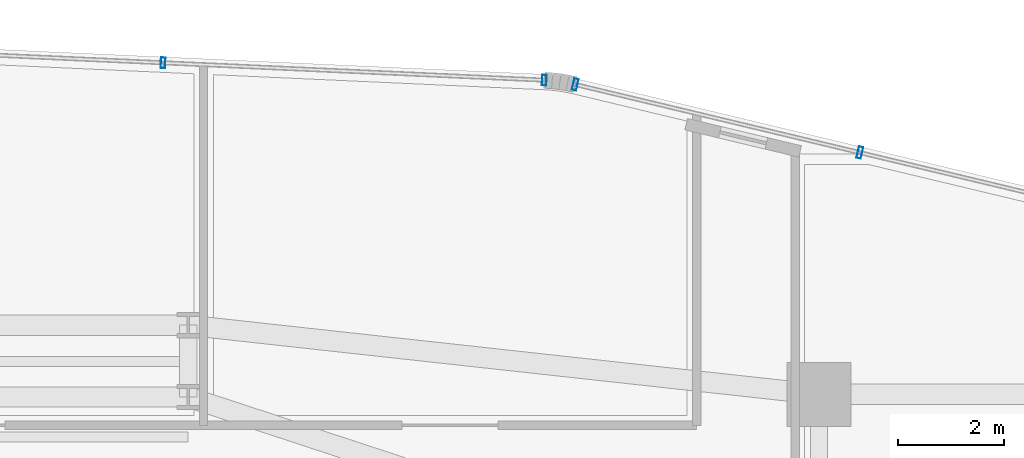
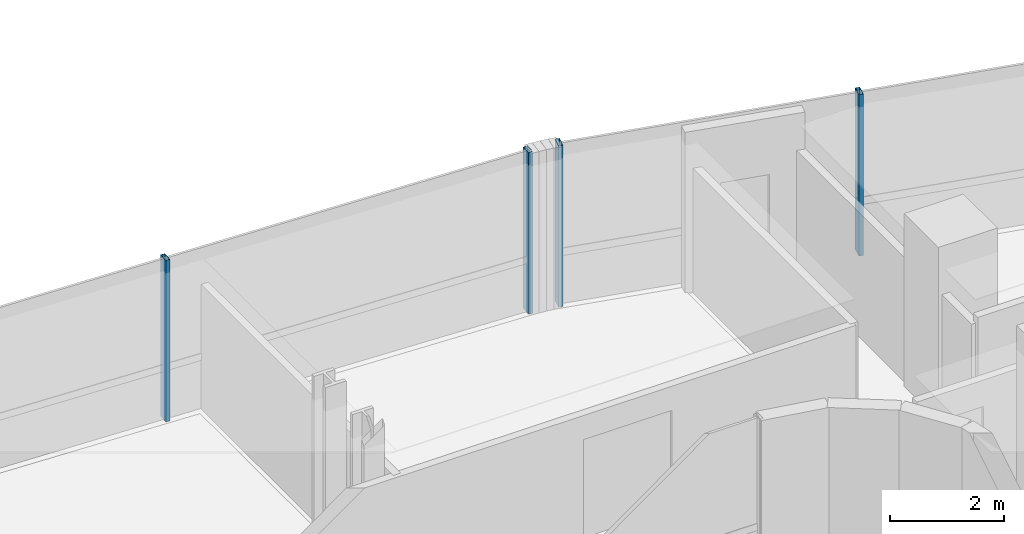
# One storey, part 24 of 37: 4 members, 2 elements without a shape of their own.
"""IFC4 building model written with IfcOpenShell, lengths in metres."""

import ifcopenshell
import ifcopenshell.guid

model = None  # the IFC model being written
_history = None  # IfcOwnerHistory: only IFC2X3 demands one
_inside = {}  # id of a spatial element -> (the spatial element, [elements in it])
_under = {}  # id of a project, library or spatial element -> (it, [spatial elements below it])
_declared = {}  # id of a project -> (the project, [libraries it declares])
_typed = {}  # id of a type object -> (the type object, [elements of that type])
_made_of = {}  # id of a material, layer set ... -> (it, [elements and type objects made of it])


def new_model(schema):
    """Start an empty IFC model of exactly this schema.

    Asked for "IFC4X3", IfcOpenShell would pick the latest addendum, in which some entities
    have other attributes; the version numbers below select the first issue.
    IFC2X3 requires an IfcOwnerHistory on every rooted entity: one is made here for all.
    """
    global model, _history
    if schema == "IFC4X3":
        model = ifcopenshell.file(schema_version=(4, 3, 0, 0))
    else:
        model = ifcopenshell.file(schema=schema)
    _inside.clear()
    _under.clear()
    _declared.clear()
    _typed.clear()
    _made_of.clear()
    _history = None
    if model.schema == "IFC2X3":
        org = make("IfcOrganization", Name="unknown")
        user = make(
            "IfcPersonAndOrganization",
            ThePerson=make("IfcPerson", FamilyName="unknown"),
            TheOrganization=org,
        )
        app = make(
            "IfcApplication",
            ApplicationDeveloper=org,
            Version="unknown",
            ApplicationFullName="unknown",
            ApplicationIdentifier="unknown",
        )
        _history = make(
            "IfcOwnerHistory",
            OwningUser=user,
            OwningApplication=app,
            ChangeAction="ADDED",
            CreationDate=0,
        )
    return model


def make(cls, **values):
    """One entity of the class cls with the attributes given. An attribute that is None is left unset."""
    return model.create_entity(
        cls, **{name: value for name, value in values.items() if value is not None}
    )


def rooted(cls, **values):
    """An entity with a GlobalId (a new one), such as an element, a storey or a relation."""
    return make(cls, GlobalId=ifcopenshell.guid.new(), OwnerHistory=_history, **values)


def si_unit(unit_type, name, prefix=None):
    """IfcSIUnit, for example si_unit("LENGTHUNIT", "METRE", prefix="MILLI")."""
    return make("IfcSIUnit", UnitType=unit_type, Prefix=prefix, Name=name)


def assignment(units):
    """IfcUnitAssignment: the units of a project."""
    return None if units is None else make("IfcUnitAssignment", Units=units)


def point(xyz):
    """IfcCartesianPoint."""
    return None if xyz is None else make("IfcCartesianPoint", Coordinates=xyz)


def direction(xyz):
    """IfcDirection."""
    return None if xyz is None else make("IfcDirection", DirectionRatios=xyz)


def frame(location, z_axis=None, x_axis=None):
    """IfcAxis2Placement3D, a coordinate frame: its origin and axes. An axis left out is left unset."""
    return make(
        "IfcAxis2Placement3D",
        Location=point(location),
        Axis=direction(z_axis),
        RefDirection=direction(x_axis),
    )


def frame_2d(location, x_axis=None):
    """IfcAxis2Placement2D, a coordinate frame in the plane: its origin and x axis."""
    return make(
        "IfcAxis2Placement2D", Location=point(location), RefDirection=direction(x_axis)
    )


def origin():
    """The frame at (0, 0, 0) with its axes left unset."""
    return frame((0.0, 0.0, 0.0))


def origin_2d():
    """The frame at (0, 0) in the plane with its x axis left unset."""
    return frame_2d((0.0, 0.0))


def place(relative_to, where):
    """IfcLocalPlacement: puts the frame where relative to a parent placement (None: the world)."""
    return make(
        "IfcLocalPlacement", PlacementRelTo=relative_to, RelativePlacement=where
    )


def context(
    kind, dimensions, precision=None, world=None, true_north=None, identifier=None
):
    """IfcGeometricRepresentationContext, for example the 3D "Model" context."""
    return make(
        "IfcGeometricRepresentationContext",
        ContextIdentifier=identifier,
        ContextType=kind,
        CoordinateSpaceDimension=dimensions,
        Precision=precision,
        WorldCoordinateSystem=world,
        TrueNorth=true_north,
    )


def subcontext(parent, identifier, kind, view, scale=None):
    """IfcGeometricRepresentationSubContext, for example "Body" below "Model"."""
    return make(
        "IfcGeometricRepresentationSubContext",
        ContextIdentifier=identifier,
        ContextType=kind,
        ParentContext=parent,
        TargetScale=scale,
        TargetView=view,
    )


def project(units=None, contexts=None):
    """IfcProject with its units and contexts."""
    return rooted(
        "IfcProject",
        Name="project",
        RepresentationContexts=contexts,
        UnitsInContext=assignment(units),
    )


def spatial(cls, under=None, at=None, **own):
    """A site, building, storey or space (cls), placed at a placement, below another one or the project."""
    s = rooted(cls, ObjectPlacement=at, **own)
    if under is not None:
        _under.setdefault(under.id(), (under, []))[1].append(s)
    return s


def profile(cls, at=None, kind="AREA", **sizes):
    """A parametric profile (cls). Its sizes go by their IFC names, for example OverallWidth=200.0."""
    return make(cls, ProfileType=kind, Position=at, **sizes)


def hollow_rectangle(**sizes):
    """IfcRectangleHollowProfileDef."""
    return profile("IfcRectangleHollowProfileDef", **sizes)


def extrude(swept, where, along, depth):
    """IfcExtrudedAreaSolid: the profile swept, set in the frame where, extruded along a direction by depth."""
    return make(
        "IfcExtrudedAreaSolid",
        SweptArea=swept,
        Position=where,
        ExtrudedDirection=direction(along),
        Depth=depth,
    )


def shape(context_of_items, identifier, shape_type, items):
    """IfcShapeRepresentation: the items that make up one representation, for example the "Body"."""
    return make(
        "IfcShapeRepresentation",
        ContextOfItems=context_of_items,
        RepresentationIdentifier=identifier,
        RepresentationType=shape_type,
        Items=items,
    )


def source(mapping_origin, context_of_items, identifier, shape_type, items):
    """IfcRepresentationMap: a shape defined once, which mapped items show again and again."""
    return make(
        "IfcRepresentationMap",
        MappingOrigin=mapping_origin,
        MappedRepresentation=shape(context_of_items, identifier, shape_type, items),
    )


def transform(
    local_origin,
    x_axis=None,
    y_axis=None,
    z_axis=None,
    scale=None,
    scale2=None,
    scale3=None,
    uniform=True,
):
    """IfcCartesianTransformationOperator3D, or its non-uniform kind. x_axis, y_axis, z_axis: its Axis1, 2, 3."""
    if uniform:
        return make(
            "IfcCartesianTransformationOperator3D",
            Axis1=direction(x_axis),
            Axis2=direction(y_axis),
            LocalOrigin=point(local_origin),
            Scale=scale,
            Axis3=direction(z_axis),
        )
    return make(
        "IfcCartesianTransformationOperator3DnonUniform",
        Axis1=direction(x_axis),
        Axis2=direction(y_axis),
        LocalOrigin=point(local_origin),
        Scale=scale,
        Axis3=direction(z_axis),
        Scale2=scale2,
        Scale3=scale3,
    )


def mapped(mapping_source, mapping_target):
    """IfcMappedItem: shows the shape of a source again, moved by a transform."""
    return make(
        "IfcMappedItem", MappingSource=mapping_source, MappingTarget=mapping_target
    )


def material(Name=None, Category=None):
    """IfcMaterial."""
    return make("IfcMaterial", Name=Name, Category=Category)


def material_profile(
    of_material, cross_section, Name=None, Category=None, Priority=None
):
    """IfcMaterialProfile: a cross section and its material."""
    return make(
        "IfcMaterialProfile",
        Name=Name,
        Material=of_material,
        Profile=cross_section,
        Priority=Priority,
        Category=Category,
    )


def profile_set(profiles, Name=None, composite=None):
    """IfcMaterialProfileSet."""
    return make(
        "IfcMaterialProfileSet",
        Name=Name,
        MaterialProfiles=profiles,
        CompositeProfile=composite,
    )


def made_of(thing, what):
    """Note that an element or type object is made of a material, layer set ...; save() writes the relation."""
    if what is not None:
        _made_of.setdefault(what.id(), (what, []))[1].append(thing)
    return thing


def type_object(cls, material=None, **own):
    """A type object (cls), such as IfcWallType, which elements share."""
    return made_of(rooted(cls, **own), material)


def element(
    cls,
    number,
    at=None,
    inside=None,
    cuts=None,
    type_object=None,
    material=None,
    context=None,
    identifier="Body",
    shape_type=None,
    held_by="IfcProductDefinitionShape",
    body=None,
    shapes=None,
    **own,
):
    """One element of the class cls, such as IfcWall. Its Tag is "e" and its number.

    at: its placement. inside: the storey or other place that contains it. cuts: it is an
    opening in that element (IfcRelVoidsElement). A single representation is given by context,
    identifier, shape_type and body (its items); several are given by shapes. held_by: the class
    of the entity that holds the representations. save() writes the other relations.
    """
    e = rooted(cls, Tag="e%d" % number, ObjectPlacement=at, **own)
    if body is not None:
        shapes = [shape(context, identifier, shape_type, body)]
    if shapes is not None:
        e.Representation = make(held_by, Representations=shapes)
    if inside is not None:
        _inside.setdefault(inside.id(), (inside, []))[1].append(e)
    if cuts is not None:
        rooted(
            "IfcRelVoidsElement", RelatingBuildingElement=cuts, RelatedOpeningElement=e
        )
    if type_object is not None:
        _typed.setdefault(type_object.id(), (type_object, []))[1].append(e)
    return made_of(e, material)


def aggregate(whole, parts):
    """IfcRelAggregates: a whole, such as a stair, and the parts it consists of."""
    return rooted("IfcRelAggregates", RelatingObject=whole, RelatedObjects=parts)


def save(model, path):
    """Write the relations noted so far, then the file.

    IfcRelAggregates (storeys below a building ...), IfcRelContainedInSpatialStructure (elements
    in a storey), IfcRelDefinesByType, IfcRelAssociatesMaterial and IfcRelDeclares: one each for
    every whole, place, type object, material and project.
    """
    for whole, parts in _under.values():
        aggregate(whole, parts)
    for where, things in _inside.values():
        rooted(
            "IfcRelContainedInSpatialStructure",
            RelatedElements=things,
            RelatingStructure=where,
        )
    for kind, things in _typed.values():
        rooted("IfcRelDefinesByType", RelatedObjects=things, RelatingType=kind)
    for what, things in _made_of.values():
        rooted("IfcRelAssociatesMaterial", RelatedObjects=things, RelatingMaterial=what)
    for by, libraries in _declared.values():
        rooted("IfcRelDeclares", RelatingContext=by, RelatedDefinitions=libraries)
    model.write(path)


model = new_model("IFC4")

# Units and contexts
model_context = context("Model", 3, precision=1e-05, world=origin(), true_north=direction((0.0, 1.0)))
body_context = subcontext(model_context, "Body", "Model", "MODEL_VIEW")
ifc_project = project(units=[si_unit("LENGTHUNIT", "METRE"), si_unit("AREAUNIT", "SQUARE_METRE"), si_unit("VOLUMEUNIT", "CUBIC_METRE"), si_unit("PLANEANGLEUNIT", "RADIAN"), si_unit("MASSUNIT", "GRAM", prefix="KILO")], contexts=[model_context])

# Site, building, storey
site_placement = place(None, origin())
site = spatial("IfcSite", under=ifc_project, at=site_placement, CompositionType="ELEMENT")
building_placement = place(site_placement, origin())
building = spatial("IfcBuilding", under=site, at=building_placement, Name="Valdorenza Pilgrim Sanctuary Tower", CompositionType="ELEMENT")
storey_placement = place(building_placement, frame((0.0, 0.0, 135.300048828125)))
storey = spatial("IfcBuildingStorey", under=building, at=storey_placement, Name="L34", CompositionType="ELEMENT", Elevation=135.300048828125)

# Curtain wall, members
ifc_material_1 = material(Name="Curtain-wall IGU glazing", Category="glass")
curtain_wall_type_1 = type_object("IfcCurtainWallType", Name="CW-SYS-02", PredefinedType="NOTDEFINED", material=ifc_material_1)
curtain_wall_1_placement = place(storey_placement, origin())
curtain_wall_1 = element("IfcCurtainWall", 1, at=curtain_wall_1_placement, inside=storey, type_object=curtain_wall_type_1, Name="L34 Curtain Wall CW-L34-1-11", PredefinedType="NOTDEFINED")
ifc_material_2 = material(Name="Anodised aluminium AW-6060", Category="aluminium")
ifc_material_profile_1 = material_profile(ifc_material_2, hollow_rectangle(XDim=0.0849609375, YDim=0.199951171875, WallThickness=0.0048828125, at=origin_2d()), Name="ALU-M 200x85x5")
ifc_profile_set_1 = profile_set([ifc_material_profile_1], Name="Anodised aluminium AW-6060")
member_type_1 = type_object("IfcMemberType", Name="CW-MUL-02", PredefinedType="MULLION", material=ifc_profile_set_1)
shared_shape_1 = source(origin(), body_context, "Body", "SweptSolid", [
    extrude(hollow_rectangle(XDim=0.0849609375, YDim=0.199951171875, WallThickness=0.0048828125, at=origin_2d()), origin(), (0.0, 0.0, 1.0), 3.4599609375),
])
member_1_placement = place(storey_placement, frame((3.528076171875, 19.7294921875, 0.0), z_axis=(0.0, 0.0, 1.0), x_axis=(0.998968193221, -0.045415294044, 0.0)))
member_1 = element("IfcMember", 2, at=member_1_placement, type_object=member_type_1, Name="CW-L34-1-11 Mullion 3", PredefinedType="MULLION", context=body_context, shape_type="MappedRepresentation", body=[
    mapped(shared_shape_1, transform((0.0, 0.0, 0.0), x_axis=(1.0, 0.0, 0.0), y_axis=(0.0, 1.0, 0.0), z_axis=(0.0, 0.0, 1.0), scale=1.0)),
])
member_2_placement = place(storey_placement, frame((10.68994140625, 19.404052734375, 0.0), z_axis=(0.0, 0.0, 1.0), x_axis=(0.998968193221, -0.045415294044, 0.0)))
member_2 = element("IfcMember", 3, at=member_2_placement, type_object=member_type_1, Name="CW-L34-1-11 Mullion 4", PredefinedType="MULLION", context=body_context, shape_type="MappedRepresentation", body=[
    mapped(shared_shape_1, transform((0.0, 0.0, 0.0), x_axis=(1.0, 0.0, 0.0), y_axis=(0.0, 1.0, 0.0), z_axis=(0.0, 0.0, 1.0), scale=1.0)),
])
aggregate(curtain_wall_1, [member_1, member_2])

curtain_wall_type_2 = type_object("IfcCurtainWallType", Name="CW-SYS-03", PredefinedType="NOTDEFINED", material=ifc_material_1)
curtain_wall_2_placement = place(storey_placement, origin())
curtain_wall_2 = element("IfcCurtainWall", 4, at=curtain_wall_2_placement, inside=storey, type_object=curtain_wall_type_2, Name="L34 Curtain Wall CW-L34-1-16", PredefinedType="NOTDEFINED")
ifc_material_profile_2 = material_profile(ifc_material_2, hollow_rectangle(XDim=0.0849609375, YDim=0.219970703125, WallThickness=0.0048828125, at=origin_2d()), Name="ALU-M 220x85x5")
ifc_profile_set_2 = profile_set([ifc_material_profile_2], Name="Anodised aluminium AW-6060")
member_type_2 = type_object("IfcMemberType", Name="CW-MUL-03", PredefinedType="MULLION", material=ifc_profile_set_2)
shared_shape_2 = source(origin(), body_context, "Body", "SweptSolid", [
    extrude(hollow_rectangle(XDim=0.0849609375, YDim=0.219970703125, WallThickness=0.0048828125, at=origin_2d()), origin(), (0.0, 0.0, 1.0), 3.4599609375),
])
member_3_placement = place(storey_placement, frame((11.271484375, 19.322021484375, 0.0), z_axis=(0.0, 0.0, 1.0), x_axis=(0.972528596343, -0.232783438617, 0.0)))
member_3 = element("IfcMember", 5, at=member_3_placement, type_object=member_type_2, Name="CW-L34-1-16 Mullion 1", PredefinedType="MULLION", context=body_context, shape_type="MappedRepresentation", body=[
    mapped(shared_shape_2, transform((0.0, 0.0, 0.0), x_axis=(1.0, 0.0, 0.0), y_axis=(0.0, 1.0, 0.0), z_axis=(0.0, 0.0, 1.0), scale=1.0)),
])
member_4_placement = place(storey_placement, frame((16.617919921875, 18.042236328125, 0.0), z_axis=(0.0, 0.0, 1.0), x_axis=(0.972528596343, -0.232783438617, 0.0)))
member_4 = element("IfcMember", 6, at=member_4_placement, type_object=member_type_2, Name="CW-L34-1-16 Mullion 2", PredefinedType="MULLION", context=body_context, shape_type="MappedRepresentation", body=[
    mapped(shared_shape_2, transform((0.0, 0.0, 0.0), x_axis=(1.0, 0.0, 0.0), y_axis=(0.0, 1.0, 0.0), z_axis=(0.0, 0.0, 1.0), scale=1.0)),
])
aggregate(curtain_wall_2, [member_3, member_4])

save(model, "model.ifc")
